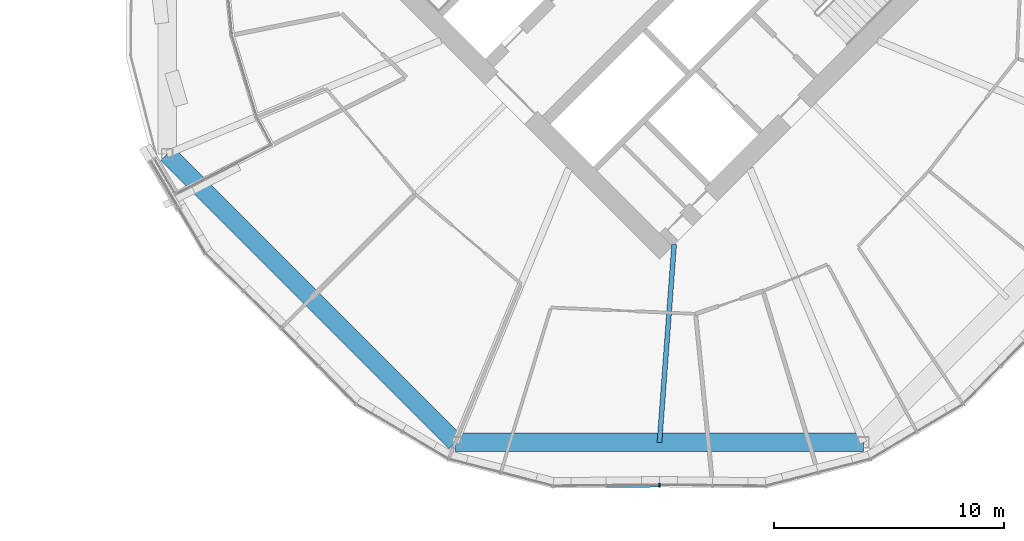
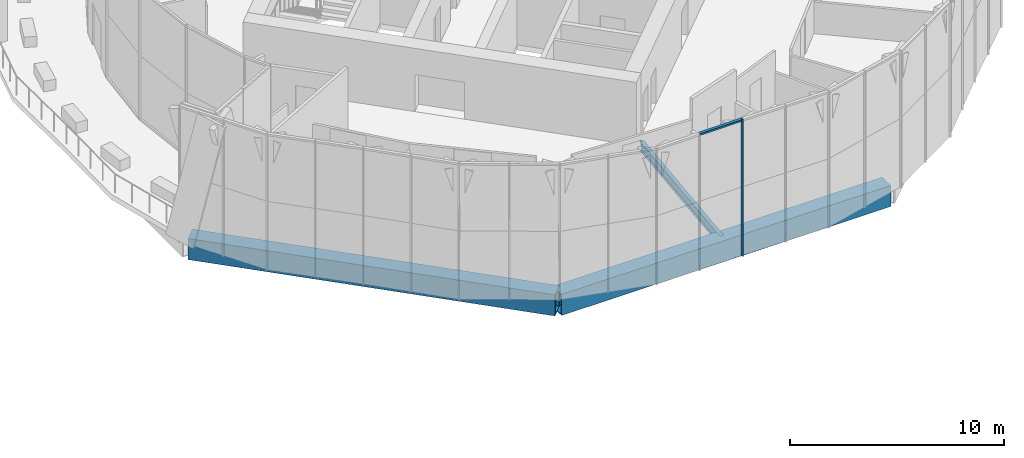
# One storey, part 10 of 31: 3 beams, 2 members, 1 element without a shape of its own.
"""IFC4 building model written with IfcOpenShell, lengths in metres."""

import ifcopenshell
import ifcopenshell.guid

model = None  # the IFC model being written
_history = None  # IfcOwnerHistory: only IFC2X3 demands one
_inside = {}  # id of a spatial element -> (the spatial element, [elements in it])
_under = {}  # id of a project, library or spatial element -> (it, [spatial elements below it])
_declared = {}  # id of a project -> (the project, [libraries it declares])
_typed = {}  # id of a type object -> (the type object, [elements of that type])
_made_of = {}  # id of a material, layer set ... -> (it, [elements and type objects made of it])


def new_model(schema):
    """Start an empty IFC model of exactly this schema.

    Asked for "IFC4X3", IfcOpenShell would pick the latest addendum, in which some entities
    have other attributes; the version numbers below select the first issue.
    IFC2X3 requires an IfcOwnerHistory on every rooted entity: one is made here for all.
    """
    global model, _history
    if schema == "IFC4X3":
        model = ifcopenshell.file(schema_version=(4, 3, 0, 0))
    else:
        model = ifcopenshell.file(schema=schema)
    _inside.clear()
    _under.clear()
    _declared.clear()
    _typed.clear()
    _made_of.clear()
    _history = None
    if model.schema == "IFC2X3":
        org = make("IfcOrganization", Name="unknown")
        user = make(
            "IfcPersonAndOrganization",
            ThePerson=make("IfcPerson", FamilyName="unknown"),
            TheOrganization=org,
        )
        app = make(
            "IfcApplication",
            ApplicationDeveloper=org,
            Version="unknown",
            ApplicationFullName="unknown",
            ApplicationIdentifier="unknown",
        )
        _history = make(
            "IfcOwnerHistory",
            OwningUser=user,
            OwningApplication=app,
            ChangeAction="ADDED",
            CreationDate=0,
        )
    return model


def make(cls, **values):
    """One entity of the class cls with the attributes given. An attribute that is None is left unset."""
    return model.create_entity(
        cls, **{name: value for name, value in values.items() if value is not None}
    )


def rooted(cls, **values):
    """An entity with a GlobalId (a new one), such as an element, a storey or a relation."""
    return make(cls, GlobalId=ifcopenshell.guid.new(), OwnerHistory=_history, **values)


def si_unit(unit_type, name, prefix=None):
    """IfcSIUnit, for example si_unit("LENGTHUNIT", "METRE", prefix="MILLI")."""
    return make("IfcSIUnit", UnitType=unit_type, Prefix=prefix, Name=name)


def assignment(units):
    """IfcUnitAssignment: the units of a project."""
    return None if units is None else make("IfcUnitAssignment", Units=units)


def point(xyz):
    """IfcCartesianPoint."""
    return None if xyz is None else make("IfcCartesianPoint", Coordinates=xyz)


def direction(xyz):
    """IfcDirection."""
    return None if xyz is None else make("IfcDirection", DirectionRatios=xyz)


def frame(location, z_axis=None, x_axis=None):
    """IfcAxis2Placement3D, a coordinate frame: its origin and axes. An axis left out is left unset."""
    return make(
        "IfcAxis2Placement3D",
        Location=point(location),
        Axis=direction(z_axis),
        RefDirection=direction(x_axis),
    )


def frame_2d(location, x_axis=None):
    """IfcAxis2Placement2D, a coordinate frame in the plane: its origin and x axis."""
    return make(
        "IfcAxis2Placement2D", Location=point(location), RefDirection=direction(x_axis)
    )


def origin():
    """The frame at (0, 0, 0) with its axes left unset."""
    return frame((0.0, 0.0, 0.0))


def origin_2d():
    """The frame at (0, 0) in the plane with its x axis left unset."""
    return frame_2d((0.0, 0.0))


def place(relative_to, where):
    """IfcLocalPlacement: puts the frame where relative to a parent placement (None: the world)."""
    return make(
        "IfcLocalPlacement", PlacementRelTo=relative_to, RelativePlacement=where
    )


def context(
    kind, dimensions, precision=None, world=None, true_north=None, identifier=None
):
    """IfcGeometricRepresentationContext, for example the 3D "Model" context."""
    return make(
        "IfcGeometricRepresentationContext",
        ContextIdentifier=identifier,
        ContextType=kind,
        CoordinateSpaceDimension=dimensions,
        Precision=precision,
        WorldCoordinateSystem=world,
        TrueNorth=true_north,
    )


def subcontext(parent, identifier, kind, view, scale=None):
    """IfcGeometricRepresentationSubContext, for example "Body" below "Model"."""
    return make(
        "IfcGeometricRepresentationSubContext",
        ContextIdentifier=identifier,
        ContextType=kind,
        ParentContext=parent,
        TargetScale=scale,
        TargetView=view,
    )


def project(units=None, contexts=None):
    """IfcProject with its units and contexts."""
    return rooted(
        "IfcProject",
        Name="project",
        RepresentationContexts=contexts,
        UnitsInContext=assignment(units),
    )


def spatial(cls, under=None, at=None, **own):
    """A site, building, storey or space (cls), placed at a placement, below another one or the project."""
    s = rooted(cls, ObjectPlacement=at, **own)
    if under is not None:
        _under.setdefault(under.id(), (under, []))[1].append(s)
    return s


def profile(cls, at=None, kind="AREA", **sizes):
    """A parametric profile (cls). Its sizes go by their IFC names, for example OverallWidth=200.0."""
    return make(cls, ProfileType=kind, Position=at, **sizes)


def rectangle(**sizes):
    """IfcRectangleProfileDef."""
    return profile("IfcRectangleProfileDef", **sizes)


def hollow_rectangle(**sizes):
    """IfcRectangleHollowProfileDef."""
    return profile("IfcRectangleHollowProfileDef", **sizes)


def i_section(**sizes):
    """IfcIShapeProfileDef."""
    return profile("IfcIShapeProfileDef", **sizes)


def extrude(swept, where, along, depth):
    """IfcExtrudedAreaSolid: the profile swept, set in the frame where, extruded along a direction by depth."""
    return make(
        "IfcExtrudedAreaSolid",
        SweptArea=swept,
        Position=where,
        ExtrudedDirection=direction(along),
        Depth=depth,
    )


def shape(context_of_items, identifier, shape_type, items):
    """IfcShapeRepresentation: the items that make up one representation, for example the "Body"."""
    return make(
        "IfcShapeRepresentation",
        ContextOfItems=context_of_items,
        RepresentationIdentifier=identifier,
        RepresentationType=shape_type,
        Items=items,
    )


def material(Name=None, Category=None):
    """IfcMaterial."""
    return make("IfcMaterial", Name=Name, Category=Category)


def material_profile(
    of_material, cross_section, Name=None, Category=None, Priority=None
):
    """IfcMaterialProfile: a cross section and its material."""
    return make(
        "IfcMaterialProfile",
        Name=Name,
        Material=of_material,
        Profile=cross_section,
        Priority=Priority,
        Category=Category,
    )


def profile_set(profiles, Name=None, composite=None):
    """IfcMaterialProfileSet."""
    return make(
        "IfcMaterialProfileSet",
        Name=Name,
        MaterialProfiles=profiles,
        CompositeProfile=composite,
    )


def made_of(thing, what):
    """Note that an element or type object is made of a material, layer set ...; save() writes the relation."""
    if what is not None:
        _made_of.setdefault(what.id(), (what, []))[1].append(thing)
    return thing


def type_object(cls, material=None, **own):
    """A type object (cls), such as IfcWallType, which elements share."""
    return made_of(rooted(cls, **own), material)


def element(
    cls,
    number,
    at=None,
    inside=None,
    cuts=None,
    type_object=None,
    material=None,
    context=None,
    identifier="Body",
    shape_type=None,
    held_by="IfcProductDefinitionShape",
    body=None,
    shapes=None,
    **own,
):
    """One element of the class cls, such as IfcWall. Its Tag is "e" and its number.

    at: its placement. inside: the storey or other place that contains it. cuts: it is an
    opening in that element (IfcRelVoidsElement). A single representation is given by context,
    identifier, shape_type and body (its items); several are given by shapes. held_by: the class
    of the entity that holds the representations. save() writes the other relations.
    """
    e = rooted(cls, Tag="e%d" % number, ObjectPlacement=at, **own)
    if body is not None:
        shapes = [shape(context, identifier, shape_type, body)]
    if shapes is not None:
        e.Representation = make(held_by, Representations=shapes)
    if inside is not None:
        _inside.setdefault(inside.id(), (inside, []))[1].append(e)
    if cuts is not None:
        rooted(
            "IfcRelVoidsElement", RelatingBuildingElement=cuts, RelatedOpeningElement=e
        )
    if type_object is not None:
        _typed.setdefault(type_object.id(), (type_object, []))[1].append(e)
    return made_of(e, material)


def aggregate(whole, parts):
    """IfcRelAggregates: a whole, such as a stair, and the parts it consists of."""
    return rooted("IfcRelAggregates", RelatingObject=whole, RelatedObjects=parts)


def save(model, path):
    """Write the relations noted so far, then the file.

    IfcRelAggregates (storeys below a building ...), IfcRelContainedInSpatialStructure (elements
    in a storey), IfcRelDefinesByType, IfcRelAssociatesMaterial and IfcRelDeclares: one each for
    every whole, place, type object, material and project.
    """
    for whole, parts in _under.values():
        aggregate(whole, parts)
    for where, things in _inside.values():
        rooted(
            "IfcRelContainedInSpatialStructure",
            RelatedElements=things,
            RelatingStructure=where,
        )
    for kind, things in _typed.values():
        rooted("IfcRelDefinesByType", RelatedObjects=things, RelatingType=kind)
    for what, things in _made_of.values():
        rooted("IfcRelAssociatesMaterial", RelatedObjects=things, RelatingMaterial=what)
    for by, libraries in _declared.values():
        rooted("IfcRelDeclares", RelatingContext=by, RelatedDefinitions=libraries)
    model.write(path)


model = new_model("IFC4")

# Units and contexts
model_context = context("Model", 3, precision=1e-05, world=origin(), true_north=direction((0.0, 1.0)))
body_context = subcontext(model_context, "Body", "Model", "MODEL_VIEW")
ifc_project = project(units=[si_unit("LENGTHUNIT", "METRE"), si_unit("AREAUNIT", "SQUARE_METRE"), si_unit("VOLUMEUNIT", "CUBIC_METRE"), si_unit("PLANEANGLEUNIT", "RADIAN"), si_unit("MASSUNIT", "GRAM", prefix="KILO")], contexts=[model_context])

# Site, building, storey
site_placement = place(None, origin())
site = spatial("IfcSite", under=ifc_project, at=site_placement, CompositionType="ELEMENT")
building_placement = place(site_placement, origin())
building = spatial("IfcBuilding", under=site, at=building_placement, Name="Ogive Gate Towers", CompositionType="ELEMENT")
storey_placement = place(building_placement, frame((0.0, 0.0, 107.39990234375)))
storey = spatial("IfcBuildingStorey", under=building, at=storey_placement, Name="L25", CompositionType="ELEMENT", Elevation=107.39990234375)

# Beams
ifc_material_1 = material(Name="Steel SM460", Category="steel")
ifc_material_profile_1 = material_profile(ifc_material_1, hollow_rectangle(XDim=0.800048828125, YDim=1.199951171875, WallThickness=0.050048828125, at=origin_2d()), Name="BX 1200x800x50")
ifc_profile_set_1 = profile_set([ifc_material_profile_1], Name="Steel SM460")
beam_type_1 = type_object("IfcBeamType", Name="Edge girder BX 1200x800x50", PredefinedType="BEAM", material=ifc_profile_set_1)
beam_1_placement = place(storey_placement, frame((14.60302734375, -8.863037109375, -0.89990234375), z_axis=(0.707106781187, -0.707106781187, 0.0), x_axis=(0.707106781187, 0.707106781187, 0.0)))
element("IfcBeam", 1, at=beam_1_placement, inside=storey, type_object=beam_type_1, Name="T2/L25/SBM017", PredefinedType="BEAM", context=body_context, shape_type="SweptSolid", body=[
    extrude(hollow_rectangle(XDim=0.800048828125, YDim=1.199951171875, WallThickness=0.050048828125, at=origin_2d()), origin(), (0.0, 0.0, 1.0), 17.7255859375),
])
beam_2_placement = place(storey_placement, frame((27.136962890625, -21.39697265625, -0.89990234375), z_axis=(1.0, 0.0, 0.0), x_axis=(0.0, 1.0, 0.0)))
element("IfcBeam", 2, at=beam_2_placement, inside=storey, type_object=beam_type_1, Name="T2/L25/SBM018", PredefinedType="BEAM", context=body_context, shape_type="SweptSolid", body=[
    extrude(hollow_rectangle(XDim=0.800048828125, YDim=1.199951171875, WallThickness=0.050048828125, at=origin_2d()), origin(), (0.0, 0.0, 1.0), 17.72607421875),
])
ifc_material_2 = material(Name="Steel SM355", Category="steel")
ifc_material_profile_2 = material_profile(ifc_material_2, i_section(OverallWidth=0.2099609375, OverallDepth=0.550048828125, WebThickness=0.010986328125, FlangeThickness=0.01708984375, FilletRadius=0.02392578125, at=origin_2d()), Name="IPE 550")
ifc_profile_set_2 = profile_set([ifc_material_profile_2], Name="Steel SM355")
beam_type_2 = type_object("IfcBeamType", Name="Radial floor beam IPE 550", PredefinedType="BEAM", material=ifc_profile_set_2)
beam_3_placement = place(storey_placement, frame((36.636474609375, -12.798583984375, -0.574951171875), z_axis=(-0.07382057702, -0.997271538954, 0.0), x_axis=(0.997271538954, -0.07382057702, 0.0)))
element("IfcBeam", 3, at=beam_3_placement, inside=storey, type_object=beam_type_2, Name="T2/L25/SBM004", PredefinedType="BEAM", context=body_context, shape_type="SweptSolid", body=[
    extrude(i_section(OverallWidth=0.2099609375, OverallDepth=0.550048828125, WebThickness=0.010986328125, FlangeThickness=0.01708984375, FilletRadius=0.02392578125, at=origin_2d()), origin(), (0.0, 0.0, 1.0), 8.621826171875),
])

# Curtain wall, members
ifc_material_3 = material(Name="Pale metal aluminium", Category="aluminium")
curtain_wall_type = type_object("IfcCurtainWallType", Name="Tower unitised wall, low zone", PredefinedType="NOTDEFINED", material=ifc_material_3)
curtain_wall_placement = place(storey_placement, origin())
curtain_wall = element("IfcCurtainWall", 4, at=curtain_wall_placement, inside=storey, type_object=curtain_wall_type, Name="CW1 T2 ECW08", PredefinedType="NOTDEFINED")
ifc_material_profile_3 = material_profile(ifc_material_3, rectangle(XDim=0.159912109375, YDim=0.06005859375, at=origin_2d()), Name="60 x 160 aluminium box")
ifc_profile_set_3 = profile_set([ifc_material_profile_3], Name="Pale metal aluminium")
member_type_1 = type_object("IfcMemberType", Name="Tower unitised wall, low zone mullion 60 x 160", PredefinedType="MULLION", material=ifc_profile_set_3)
member_1_placement = place(storey_placement, frame((36.000244140625, -23.260009765625, -0.2998046875), z_axis=(0.0, 0.0, 1.0), x_axis=(-0.009895855338, 0.999951034825, 0.0)))
member_1 = element("IfcMember", 5, at=member_1_placement, type_object=member_type_1, Name="CW1 mullion", PredefinedType="MULLION", context=body_context, shape_type="SweptSolid", body=[
    extrude(rectangle(XDim=0.159912109375, YDim=0.06005859375, at=origin_2d()), origin(), (0.0, 0.0, 1.0), 7.7998046875),
])
ifc_material_profile_4 = material_profile(ifc_material_3, rectangle(XDim=0.159912109375, YDim=0.10009765625, at=origin_2d()), Name="100 x 160 aluminium box")
ifc_profile_set_4 = profile_set([ifc_material_profile_4], Name="Pale metal aluminium")
member_type_2 = type_object("IfcMemberType", Name="Tower unitised wall, low zone transom 100 x 160", PredefinedType="USERDEFINED", material=ifc_profile_set_4)
member_2_placement = place(storey_placement, frame((35.97021484375, -23.26025390625, 7.4501953125), z_axis=(-0.999950274345, -0.00997240382, 0.0), x_axis=(0.00997240382, -0.999950274345, 0.0)))
member_2 = element("IfcMember", 6, at=member_2_placement, type_object=member_type_2, Name="CW1 transom", ObjectType="TRANSOM", PredefinedType="USERDEFINED", context=body_context, shape_type="SweptSolid", body=[
    extrude(rectangle(XDim=0.159912109375, YDim=0.10009765625, at=origin_2d()), origin(), (0.0, 0.0, 1.0), 2.252197265625),
])
aggregate(curtain_wall, [member_1, member_2])

save(model, "model.ifc")
